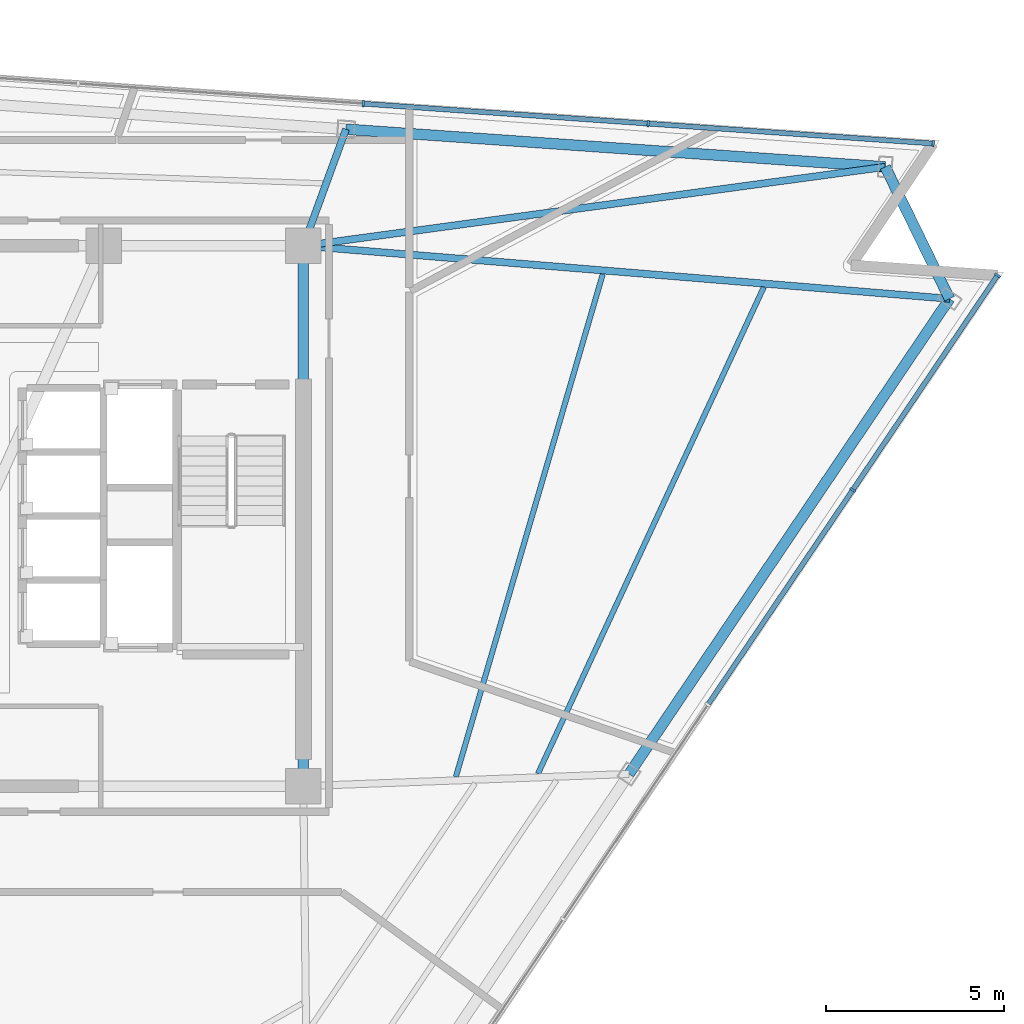
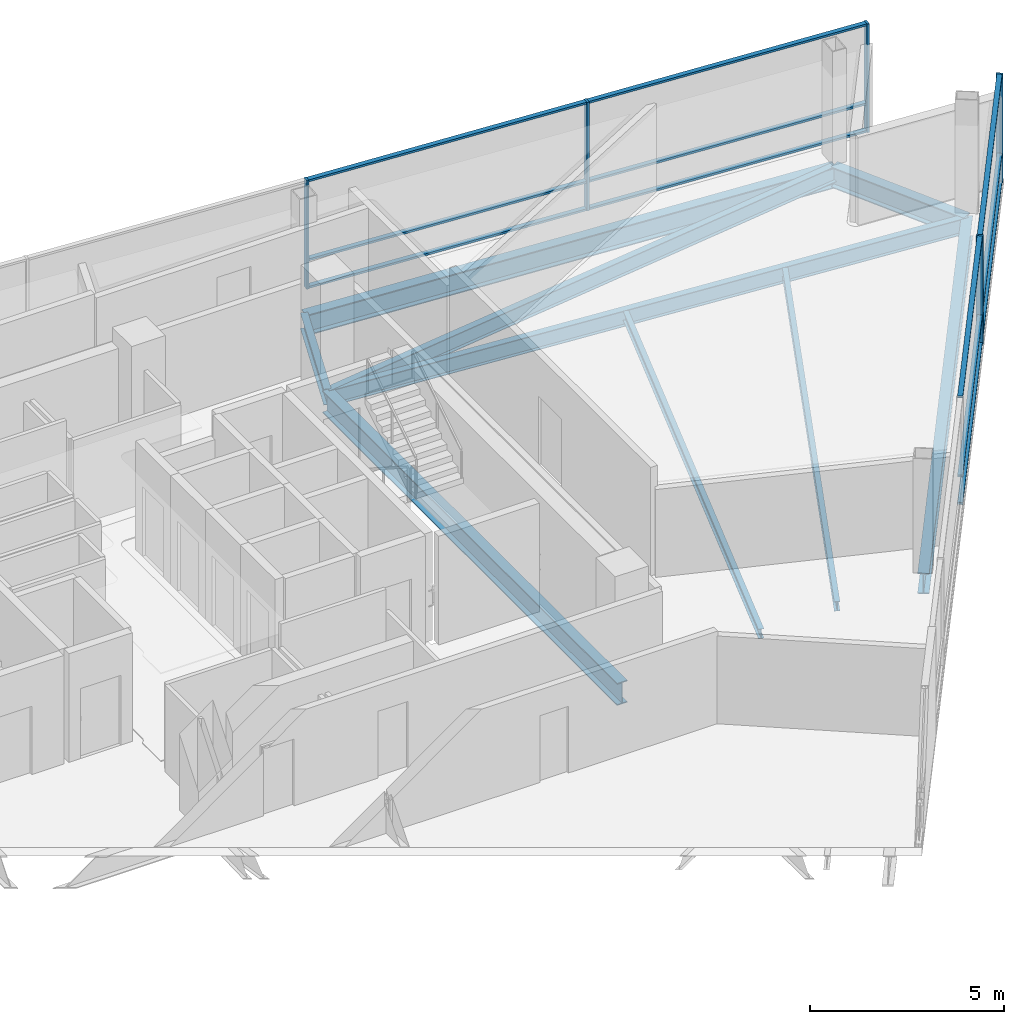
# One storey, part 7 of 14: 17 members, 9 beams, 2 elements without a shape of their own.
"""IFC4 building model written with IfcOpenShell, lengths in metres."""

from ifc_helpers import new_model, si_unit, direction, frame, origin, origin_2d, place, context, subcontext, project, spatial, rectangle, i_section, extrude, material, layer, layer_set, material_profile, profile_set, type_object, element, aggregate, save


model = new_model("IFC4")

# Units and contexts
model_context = context("Model", 3, precision=1e-05, world=origin(), true_north=direction((0.0, 1.0)))
body_context = subcontext(model_context, "Body", "Model", "MODEL_VIEW")
ifc_project = project(units=[si_unit("LENGTHUNIT", "METRE"), si_unit("AREAUNIT", "SQUARE_METRE"), si_unit("VOLUMEUNIT", "CUBIC_METRE"), si_unit("PLANEANGLEUNIT", "RADIAN"), si_unit("MASSUNIT", "GRAM", prefix="KILO")], contexts=[model_context])

# Site, building, storey
site_placement = place(None, origin())
site = spatial("IfcSite", under=ifc_project, at=site_placement, CompositionType="ELEMENT")
building_placement = place(site_placement, origin())
building = spatial("IfcBuilding", under=site, at=building_placement, Name="Tharavind Bronze Gate", CompositionType="ELEMENT")
storey_placement = place(building_placement, frame((0.0, 0.0, 241.449951171875)))
storey = spatial("IfcBuildingStorey", under=building, at=storey_placement, Name="L62", CompositionType="ELEMENT", Elevation=241.449951171875)

# Curtain wall, members
ifc_material_1 = material(Name="Anodised Bronze Aluminium", Category="aluminium")
ifc_layer = layer(ifc_material_1, 0.219970703125)
ifc_layer_set = layer_set([ifc_layer], Name="Anodised Bronze Aluminium")
curtain_wall_type = type_object("IfcCurtainWallType", Name="UNITISED CURTAIN WALL UPPER OFFICE", PredefinedType="USERDEFINED", material=ifc_layer_set)
curtain_wall_1_placement = place(storey_placement, origin())
curtain_wall_1 = element("IfcCurtainWall", 1, at=curtain_wall_1_placement, inside=storey, type_object=curtain_wall_type, Name="L62 unitised curtain wall upper office CW-L62-S2", ObjectType="UNITISED CURTAIN WALL", PredefinedType="USERDEFINED")
member_type_1 = type_object("IfcMemberType", Name="CURTAIN WALL BRONZE MULLION 65X180", PredefinedType="MULLION", material=ifc_material_1)
member_1_placement = place(storey_placement, frame((24.35791015625, 0.732177734375, 0.0), z_axis=(0.0, 0.0, 1.0), x_axis=(0.559192903471, 0.829037572555, 0.0)))
member_1 = element("IfcMember", 2, at=member_1_placement, type_object=member_type_1, Name="CW-L62-S2 mullion 7", PredefinedType="MULLION", context=body_context, shape_type="SweptSolid", body=[
    extrude(rectangle(XDim=0.06494140625, YDim=0.179931640625, at=origin_2d()), origin(), (0.0, 0.0, 1.0), 3.419921875),
])
member_2_placement = place(storey_placement, frame((28.430419921875, 6.77001953125, 0.0), z_axis=(0.0, 0.0, 1.0), x_axis=(0.559192903471, 0.829037572555, 0.0)))
member_2 = element("IfcMember", 3, at=member_2_placement, type_object=member_type_1, Name="CW-L62-S2 mullion 8", PredefinedType="MULLION", context=body_context, shape_type="SweptSolid", body=[
    extrude(rectangle(XDim=0.06494140625, YDim=0.179931640625, at=origin_2d()), origin(), (0.0, 0.0, 1.0), 3.419921875),
])

curtain_wall_2_placement = place(storey_placement, origin())
curtain_wall_2 = element("IfcCurtainWall", 4, at=curtain_wall_2_placement, inside=storey, type_object=curtain_wall_type, Name="L62 unitised curtain wall upper office CW-L62-S3", ObjectType="UNITISED CURTAIN WALL", PredefinedType="USERDEFINED")
member_3_placement = place(storey_placement, frame((26.620849609375, 10.480224609375, 0.0), z_axis=(0.0, 0.0, 1.0), x_axis=(-0.99756392851, 0.069758214822, 0.0)))
member_3 = element("IfcMember", 5, at=member_3_placement, type_object=member_type_1, Name="CW-L62-S3 mullion 1", PredefinedType="MULLION", context=body_context, shape_type="SweptSolid", body=[
    extrude(rectangle(XDim=0.06494140625, YDim=0.179931640625, at=origin_2d()), origin(), (0.0, 0.0, 1.0), 3.419921875),
])
member_4_placement = place(storey_placement, frame((18.602294921875, 11.041015625, 0.0), z_axis=(0.0, 0.0, 1.0), x_axis=(-0.99756392851, 0.069758214822, 0.0)))
member_4 = element("IfcMember", 6, at=member_4_placement, type_object=member_type_1, Name="CW-L62-S3 mullion 2", PredefinedType="MULLION", context=body_context, shape_type="SweptSolid", body=[
    extrude(rectangle(XDim=0.06494140625, YDim=0.179931640625, at=origin_2d()), origin(), (0.0, 0.0, 1.0), 3.419921875),
])
member_5_placement = place(storey_placement, frame((10.583984375, 11.6015625, 0.0), z_axis=(0.0, 0.0, 1.0), x_axis=(-0.99756392851, 0.069758214822, 0.0)))
member_5 = element("IfcMember", 7, at=member_5_placement, type_object=member_type_1, Name="CW-L62-S3 mullion 3", PredefinedType="MULLION", context=body_context, shape_type="SweptSolid", body=[
    extrude(rectangle(XDim=0.06494140625, YDim=0.179931640625, at=origin_2d()), origin(), (0.0, 0.0, 1.0), 3.419921875),
])

# Member
member_type_2 = type_object("IfcMemberType", Name="CURTAIN WALL BRONZE TRANSOM 65X140", PredefinedType="USERDEFINED", material=ifc_material_1)
member_6_placement = place(storey_placement, frame((22.321533203125, -2.28662109375, 0.0), z_axis=(0.0, 0.0, 1.0), x_axis=(0.559192903471, 0.829037572555, 0.0)))
member_6 = element("IfcMember", 8, at=member_6_placement, type_object=member_type_2, Name="CW-L62-S2 transom TB6", ObjectType="TRANSOM", PredefinedType="USERDEFINED", context=body_context, shape_type="SweptSolid", body=[
    extrude(rectangle(XDim=7.22998046875, YDim=0.139892578125, at=origin_2d()), origin(), (0.0, 0.0, 1.0), 0.06494140625),
])

member_7_placement = place(storey_placement, frame((22.321533203125, -2.28662109375, 0.86767578125), z_axis=(0.0, 0.0, 1.0), x_axis=(0.559192903471, 0.829037572555, 0.0)))
member_7 = element("IfcMember", 9, at=member_7_placement, type_object=member_type_2, Name="CW-L62-S2 transom TS6", ObjectType="TRANSOM", PredefinedType="USERDEFINED", context=body_context, shape_type="SweptSolid", body=[
    extrude(rectangle(XDim=7.22998046875, YDim=0.139892578125, at=origin_2d()), origin(), (0.0, 0.0, 1.0), 0.06494140625),
])

member_8_placement = place(storey_placement, frame((22.321533203125, -2.28662109375, 3.35498046875), z_axis=(0.0, 0.0, 1.0), x_axis=(0.559192903471, 0.829037572555, 0.0)))
member_8 = element("IfcMember", 10, at=member_8_placement, type_object=member_type_2, Name="CW-L62-S2 transom TT6", ObjectType="TRANSOM", PredefinedType="USERDEFINED", context=body_context, shape_type="SweptSolid", body=[
    extrude(rectangle(XDim=7.22998046875, YDim=0.139892578125, at=origin_2d()), origin(), (0.0, 0.0, 1.0), 0.06494140625),
])

member_9_placement = place(storey_placement, frame((26.39404296875, 3.751220703125, 0.0), z_axis=(0.0, 0.0, 1.0), x_axis=(0.559192903471, 0.829037572555, 0.0)))
member_9 = element("IfcMember", 11, at=member_9_placement, type_object=member_type_2, Name="CW-L62-S2 transom TB7", ObjectType="TRANSOM", PredefinedType="USERDEFINED", context=body_context, shape_type="SweptSolid", body=[
    extrude(rectangle(XDim=7.22998046875, YDim=0.139892578125, at=origin_2d()), origin(), (0.0, 0.0, 1.0), 0.06494140625),
])

member_10_placement = place(storey_placement, frame((26.39404296875, 3.751220703125, 0.86767578125), z_axis=(0.0, 0.0, 1.0), x_axis=(0.559192903471, 0.829037572555, 0.0)))
member_10 = element("IfcMember", 12, at=member_10_placement, type_object=member_type_2, Name="CW-L62-S2 transom TS7", ObjectType="TRANSOM", PredefinedType="USERDEFINED", context=body_context, shape_type="SweptSolid", body=[
    extrude(rectangle(XDim=7.22998046875, YDim=0.139892578125, at=origin_2d()), origin(), (0.0, 0.0, 1.0), 0.06494140625),
])

member_11_placement = place(storey_placement, frame((26.39404296875, 3.751220703125, 3.35498046875), z_axis=(0.0, 0.0, 1.0), x_axis=(0.559192903471, 0.829037572555, 0.0)))
member_11 = element("IfcMember", 13, at=member_11_placement, type_object=member_type_2, Name="CW-L62-S2 transom TT7", ObjectType="TRANSOM", PredefinedType="USERDEFINED", context=body_context, shape_type="SweptSolid", body=[
    extrude(rectangle(XDim=7.22998046875, YDim=0.139892578125, at=origin_2d()), origin(), (0.0, 0.0, 1.0), 0.06494140625),
])

aggregate(curtain_wall_1, [member_1, member_2, member_6, member_7, member_8, member_9, member_10, member_11])

member_12_placement = place(storey_placement, frame((22.611572265625, 10.760498046875, 0.0), z_axis=(0.0, 0.0, 1.0), x_axis=(-0.99756392851, 0.069758214822, 0.0)))
member_12 = element("IfcMember", 14, at=member_12_placement, type_object=member_type_2, Name="CW-L62-S3 transom TB1", ObjectType="TRANSOM", PredefinedType="USERDEFINED", context=body_context, shape_type="SweptSolid", body=[
    extrude(rectangle(XDim=7.985107421875, YDim=0.139892578125, at=origin_2d()), origin(), (0.0, 0.0, 1.0), 0.06494140625),
])

member_13_placement = place(storey_placement, frame((22.611572265625, 10.760498046875, 0.86767578125), z_axis=(0.0, 0.0, 1.0), x_axis=(-0.99756392851, 0.069758214822, 0.0)))
member_13 = element("IfcMember", 15, at=member_13_placement, type_object=member_type_2, Name="CW-L62-S3 transom TS1", ObjectType="TRANSOM", PredefinedType="USERDEFINED", context=body_context, shape_type="SweptSolid", body=[
    extrude(rectangle(XDim=7.985107421875, YDim=0.139892578125, at=origin_2d()), origin(), (0.0, 0.0, 1.0), 0.06494140625),
])

member_14_placement = place(storey_placement, frame((22.611572265625, 10.760498046875, 3.35498046875), z_axis=(0.0, 0.0, 1.0), x_axis=(-0.99756392851, 0.069758214822, 0.0)))
member_14 = element("IfcMember", 16, at=member_14_placement, type_object=member_type_2, Name="CW-L62-S3 transom TT1", ObjectType="TRANSOM", PredefinedType="USERDEFINED", context=body_context, shape_type="SweptSolid", body=[
    extrude(rectangle(XDim=7.985107421875, YDim=0.139892578125, at=origin_2d()), origin(), (0.0, 0.0, 1.0), 0.06494140625),
])

member_15_placement = place(storey_placement, frame((14.593017578125, 11.3212890625, 0.0), z_axis=(0.0, 0.0, 1.0), x_axis=(-0.99756392851, 0.069758214822, 0.0)))
member_15 = element("IfcMember", 17, at=member_15_placement, type_object=member_type_2, Name="CW-L62-S3 transom TB2", ObjectType="TRANSOM", PredefinedType="USERDEFINED", context=body_context, shape_type="SweptSolid", body=[
    extrude(rectangle(XDim=7.985107421875, YDim=0.139892578125, at=origin_2d()), origin(), (0.0, 0.0, 1.0), 0.06494140625),
])

member_16_placement = place(storey_placement, frame((14.593017578125, 11.3212890625, 0.86767578125), z_axis=(0.0, 0.0, 1.0), x_axis=(-0.99756392851, 0.069758214822, 0.0)))
member_16 = element("IfcMember", 18, at=member_16_placement, type_object=member_type_2, Name="CW-L62-S3 transom TS2", ObjectType="TRANSOM", PredefinedType="USERDEFINED", context=body_context, shape_type="SweptSolid", body=[
    extrude(rectangle(XDim=7.985107421875, YDim=0.139892578125, at=origin_2d()), origin(), (0.0, 0.0, 1.0), 0.06494140625),
])

member_17_placement = place(storey_placement, frame((14.593017578125, 11.3212890625, 3.35498046875), z_axis=(0.0, 0.0, 1.0), x_axis=(-0.99756392851, 0.069758214822, 0.0)))
member_17 = element("IfcMember", 19, at=member_17_placement, type_object=member_type_2, Name="CW-L62-S3 transom TT2", ObjectType="TRANSOM", PredefinedType="USERDEFINED", context=body_context, shape_type="SweptSolid", body=[
    extrude(rectangle(XDim=7.985107421875, YDim=0.139892578125, at=origin_2d()), origin(), (0.0, 0.0, 1.0), 0.06494140625),
])

aggregate(curtain_wall_2, [member_3, member_4, member_5, member_12, member_13, member_14, member_15, member_16, member_17])

# Beams
ifc_material_2 = material(Name="Steel S355", Category="steel")
ifc_material_profile_1 = material_profile(ifc_material_2, i_section(OverallWidth=0.300048828125, OverallDepth=0.64990234375, WebThickness=0.01611328125, FlangeThickness=0.031005859375, at=origin_2d()), Name="HE650B")
ifc_profile_set_1 = profile_set([ifc_material_profile_1], Name="Steel S355")
beam_type_1 = type_object("IfcBeamType", Name="PRIMARY GIRDER HE650B", PredefinedType="USERDEFINED", material=ifc_profile_set_1)
beam_1_placement = place(storey_placement, frame((18.06396484375, -7.2578125, -0.5048828125), z_axis=(0.559188128577, 0.829040793241, 0.0), x_axis=(-0.829040793241, 0.559188128577, 0.0)))
element("IfcBeam", 20, at=beam_1_placement, inside=storey, type_object=beam_type_1, Name="L62 primary girder he650b BM-L62-PRG07", ObjectType="GIRDER", PredefinedType="USERDEFINED", context=body_context, shape_type="SweptSolid", body=[
    extrude(i_section(OverallWidth=0.300048828125, OverallDepth=0.64990234375, WebThickness=0.01611328125, FlangeThickness=0.031005859375, at=origin_2d()), origin(), (0.0, 0.0, 1.0), 16.12744140625),
])
beam_2_placement = place(storey_placement, frame((27.082275390625, 6.112548828125, -0.5048828125), z_axis=(-0.438367699713, 0.898795727542, 0.0), x_axis=(-0.898795727542, -0.438367699713, 0.0)))
element("IfcBeam", 21, at=beam_2_placement, inside=storey, type_object=beam_type_1, Name="L62 primary girder he650b BM-L62-PRG08", ObjectType="GIRDER", PredefinedType="USERDEFINED", context=body_context, shape_type="SweptSolid", body=[
    extrude(i_section(OverallWidth=0.300048828125, OverallDepth=0.64990234375, WebThickness=0.01611328125, FlangeThickness=0.031005859375, at=origin_2d()), origin(), (0.0, 0.0, 1.0), 4.1279296875),
])
beam_3_placement = place(storey_placement, frame((25.272705078125, 9.82275390625, -0.5048828125), z_axis=(-0.997563917828, 0.069758367582, 0.0), x_axis=(-0.069758367582, -0.997563917828, 0.0)))
element("IfcBeam", 22, at=beam_3_placement, inside=storey, type_object=beam_type_1, Name="L62 primary girder he650b BM-L62-PRG09", ObjectType="GIRDER", PredefinedType="USERDEFINED", context=body_context, shape_type="SweptSolid", body=[
    extrude(i_section(OverallWidth=0.300048828125, OverallDepth=0.64990234375, WebThickness=0.01611328125, FlangeThickness=0.031005859375, at=origin_2d()), origin(), (0.0, 0.0, 1.0), 15.210205078125),
])
ifc_material_profile_2 = material_profile(ifc_material_2, i_section(OverallWidth=0.199951171875, OverallDepth=0.5, WebThickness=0.01025390625, FlangeThickness=0.01611328125, at=origin_2d()), Name="IPE500")
ifc_profile_set_2 = profile_set([ifc_material_profile_2], Name="Steel S355")
beam_type_2 = type_object("IfcBeamType", Name="PRIMARY GIRDER IPE500", PredefinedType="USERDEFINED", material=ifc_profile_set_2)
beam_4_placement = place(storey_placement, frame((27.082275390625, 6.112548828125, -0.429931640625), z_axis=(-0.996670048992, 0.081540256576, 0.0), x_axis=(-0.081540256576, -0.996670048992, 0.0)))
element("IfcBeam", 23, at=beam_4_placement, inside=storey, type_object=beam_type_2, Name="L62 primary girder ipe500 BM-L62-RAD08", ObjectType="GIRDER", PredefinedType="USERDEFINED", context=body_context, shape_type="SweptSolid", body=[
    extrude(i_section(OverallWidth=0.199951171875, OverallDepth=0.5, WebThickness=0.01025390625, FlangeThickness=0.01611328125, at=origin_2d()), origin(), (0.0, 0.0, 1.0), 18.2431640625),
])
beam_5_placement = place(storey_placement, frame((25.272705078125, 9.82275390625, -0.429931640625), z_axis=(-0.990911002209, -0.134519090469, 0.0), x_axis=(0.134519090469, -0.990911002209, 0.0)))
element("IfcBeam", 24, at=beam_5_placement, inside=storey, type_object=beam_type_2, Name="L62 primary girder ipe500 BM-L62-RAD09", ObjectType="GIRDER", PredefinedType="USERDEFINED", context=body_context, shape_type="SweptSolid", body=[
    extrude(i_section(OverallWidth=0.199951171875, OverallDepth=0.5, WebThickness=0.01025390625, FlangeThickness=0.01611328125, at=origin_2d()), origin(), (0.0, 0.0, 1.0), 16.52294921875),
])
beam_6_placement = place(storey_placement, frame((10.099609375, 10.8837890625, -0.429931640625), z_axis=(-0.343166887309, -0.939274447355, 0.0), x_axis=(0.939274447355, -0.343166887309, 0.0)))
element("IfcBeam", 25, at=beam_6_placement, inside=storey, type_object=beam_type_2, Name="L62 primary girder ipe500 BM-L62-RAD10", ObjectType="GIRDER", PredefinedType="USERDEFINED", context=body_context, shape_type="SweptSolid", body=[
    extrude(i_section(OverallWidth=0.199951171875, OverallDepth=0.5, WebThickness=0.01025390625, FlangeThickness=0.01611328125, at=origin_2d()), origin(), (0.0, 0.0, 1.0), 3.49609375),
])
ifc_material_profile_3 = material_profile(ifc_material_2, i_section(OverallWidth=0.300048828125, OverallDepth=0.699951171875, WebThickness=0.01708984375, FlangeThickness=0.031982421875, at=origin_2d()), Name="HE700B")
ifc_profile_set_3 = profile_set([ifc_material_profile_3], Name="Steel S355")
beam_type_3 = type_object("IfcBeamType", Name="RING GIRDER HE700B", PredefinedType="USERDEFINED", material=ifc_profile_set_3)
beam_7_placement = place(storey_placement, frame((8.89990234375, -7.60009765625, -0.530029296875), z_axis=(0.0, 1.0, 0.0), x_axis=(-1.0, 0.0, 0.0)))
element("IfcBeam", 26, at=beam_7_placement, inside=storey, type_object=beam_type_3, Name="L62 ring girder he700b BM-L62-CR3", ObjectType="GIRDER", PredefinedType="USERDEFINED", context=body_context, shape_type="SweptSolid", body=[
    extrude(i_section(OverallWidth=0.300048828125, OverallDepth=0.699951171875, WebThickness=0.01708984375, FlangeThickness=0.031982421875, at=origin_2d()), origin(), (0.0, 0.0, 1.0), 15.2001953125),
])
ifc_material_profile_4 = material_profile(ifc_material_2, i_section(OverallWidth=0.14990234375, OverallDepth=0.300048828125, WebThickness=0.007080078125, FlangeThickness=0.0107421875, at=origin_2d()), Name="IPE300")
ifc_profile_set_4 = profile_set([ifc_material_profile_4], Name="Steel S355")
beam_type_4 = type_object("IfcBeamType", Name="SECONDARY FLOOR JOIST IPE300", PredefinedType="JOIST", material=ifc_profile_set_4)
beam_8_placement = place(storey_placement, frame((13.19189453125, -7.335693359375, -0.329833984375), z_axis=(0.280517905759, 0.959848792544, 0.0), x_axis=(-0.959848792544, 0.280517905759, 0.0)))
element("IfcBeam", 27, at=beam_8_placement, inside=storey, type_object=beam_type_4, Name="L62 secondary floor joist ipe300 BM-L62-JSTA07", PredefinedType="JOIST", context=body_context, shape_type="SweptSolid", body=[
    extrude(i_section(OverallWidth=0.14990234375, OverallDepth=0.300048828125, WebThickness=0.007080078125, FlangeThickness=0.0107421875, at=origin_2d()), origin(), (0.0, 0.0, 1.0), 14.733642578125),
])
beam_9_placement = place(storey_placement, frame((15.501220703125, -7.249755859375, -0.329833984375), z_axis=(0.42102525581, 0.907048914872, 0.0), x_axis=(-0.907048914872, 0.42102525581, 0.0)))
element("IfcBeam", 28, at=beam_9_placement, inside=storey, type_object=beam_type_4, Name="L62 secondary floor joist ipe300 BM-L62-JSTB07", PredefinedType="JOIST", context=body_context, shape_type="SweptSolid", body=[
    extrude(i_section(OverallWidth=0.14990234375, OverallDepth=0.300048828125, WebThickness=0.007080078125, FlangeThickness=0.0107421875, at=origin_2d()), origin(), (0.0, 0.0, 1.0), 15.08837890625),
])

save(model, "model.ifc")
